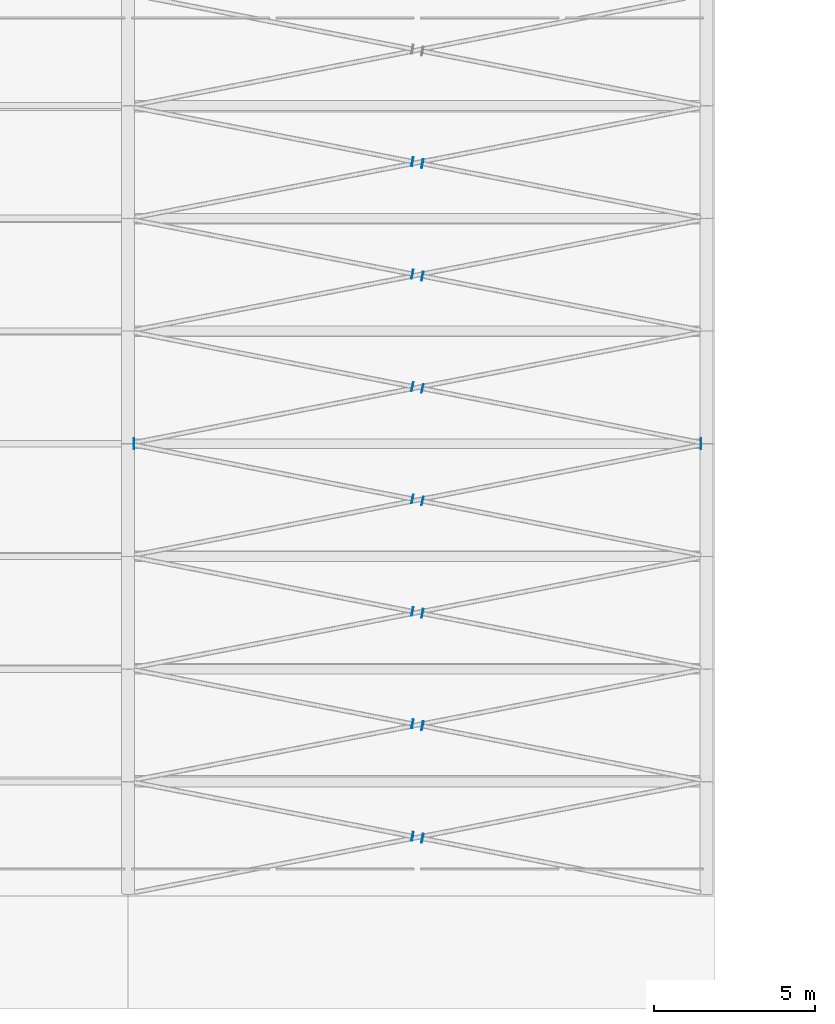
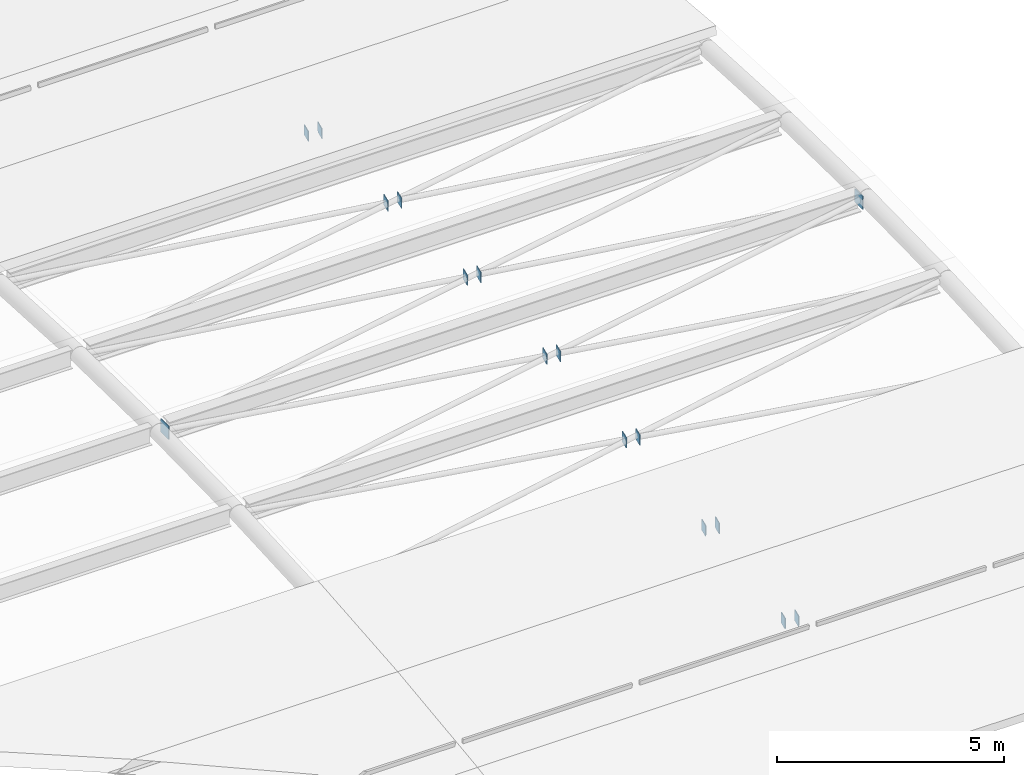
# One storey, part 37 of 41: 16 discrete accessories.
"""IFC4 building model written with IfcOpenShell, lengths in metres."""

from ifc_helpers import new_model, si_unit, direction, frame, origin, origin_2d, place, context, subcontext, project, spatial, rectangle, extrude, material, layer, layer_set, type_object, element, save


model = new_model("IFC4")

# Units and contexts
model_context = context("Model", 3, precision=1e-05, world=origin(), true_north=direction((0.0, 1.0)))
body_context = subcontext(model_context, "Body", "Model", "MODEL_VIEW")
ifc_project = project(units=[si_unit("LENGTHUNIT", "METRE"), si_unit("AREAUNIT", "SQUARE_METRE"), si_unit("VOLUMEUNIT", "CUBIC_METRE"), si_unit("PLANEANGLEUNIT", "RADIAN"), si_unit("MASSUNIT", "GRAM", prefix="KILO")], contexts=[model_context])

# Site, building, storey
site_placement = place(None, origin())
site = spatial("IfcSite", under=ifc_project, at=site_placement, CompositionType="ELEMENT")
building_placement = place(site_placement, origin())
building = spatial("IfcBuilding", under=site, at=building_placement, Name="Okhra Congress Centre", CompositionType="ELEMENT")
storey_placement = place(building_placement, frame((0.0, 0.0, 21.60009765625)))
storey = spatial("IfcBuildingStorey", under=building, at=storey_placement, Name="ROOF", CompositionType="ELEMENT", Elevation=21.60009765625)

# Discrete accessories
ifc_material = material(Name="Steel S355J2", Category="steel")
ifc_layer = layer(ifc_material, 0.02001953125)
ifc_layer_set = layer_set([ifc_layer], Name="Brace end connection plate 20 mm S355")
discrete_accessory_type = type_object("IfcDiscreteAccessoryType", Name="Brace end connection plate 20 mm S355", PredefinedType="BRACKET", material=ifc_layer_set)
for number, where, z_axis, x_axis, name in (
    (1, (145.1640625, 161.718017578125, 0.41552734375), (-0.980756046085, 0.19372958935, 0.024216198669), (-0.193786418213, -0.981043742203, 0.0), "Brace end connection plate"),
    (2, (144.8359375, 161.781982421875, 0.423583984375), (0.980756046085, -0.19372958935, -0.024216198669), (0.193786418213, 0.981043742203, 0.0), "Brace end connection plate"),
):
    element("IfcDiscreteAccessory", number, at=place(storey_placement, frame(where, z_axis=z_axis, x_axis=x_axis)), inside=storey, type_object=discrete_accessory_type, Name=name, PredefinedType="BRACKET", context=body_context, shape_type="SweptSolid", body=[
        extrude(rectangle(XDim=0.279052734375, YDim=0.279052734375, at=origin_2d()), origin(), (0.0, 0.0, 1.0), 0.020263671875),
    ])
for number, where, z_axis, x_axis, name in (
    (3, (145.16455078125, 165.218017578125, 0.7919921875), (-0.980286162792, 0.196057232558, 0.02450715407), (-0.196116135138, -0.980580675691, 0.0), "Brace end connection plate"),
    (4, (144.83544921875, 165.281982421875, 0.7978515625), (0.980286162792, -0.196057232558, -0.02450715407), (0.196116135138, 0.980580675691, 0.0), "Brace end connection plate"),
):
    element("IfcDiscreteAccessory", number, at=place(storey_placement, frame(where, z_axis=z_axis, x_axis=x_axis)), inside=storey, type_object=discrete_accessory_type, Name=name, PredefinedType="BRACKET", context=body_context, shape_type="SweptSolid", body=[
        extrude(rectangle(XDim=0.279052734375, YDim=0.279052734375, at=origin_2d()), origin(), (0.0, 0.0, 1.0), 0.02001953125),
    ])
for number, where, z_axis, x_axis, name in (
    (5, (145.1650390625, 168.718017578125, 1.042724609375), (-0.982872186934, 0.18428853505, 0.0), (-0.18428853505, -0.982872186934, 0.0), "Brace end connection plate"),
    (6, (144.8349609375, 168.781982421875, 1.046142578125), (0.982798016298, -0.184274628056, -0.012284975204), (0.18428853505, 0.982872186934, 0.0), "Brace end connection plate"),
):
    element("IfcDiscreteAccessory", number, at=place(storey_placement, frame(where, z_axis=z_axis, x_axis=x_axis)), inside=storey, type_object=discrete_accessory_type, Name=name, PredefinedType="BRACKET", context=body_context, shape_type="SweptSolid", body=[
        extrude(rectangle(XDim=0.279052734375, YDim=0.279052734375, at=origin_2d()), origin(), (0.0, 0.0, 1.0), 0.019775390625),
    ])
discrete_accessory_1_placement = place(storey_placement, frame((153.814453125, 174.0, 1.19921875), z_axis=(1.0, 0.0, 0.0), x_axis=(0.0, 1.0, 0.0)))
element("IfcDiscreteAccessory", 7, at=discrete_accessory_1_placement, inside=storey, type_object=discrete_accessory_type, Name="Brace end connection plate", PredefinedType="BRACKET", context=body_context, shape_type="SweptSolid", body=[
    extrude(rectangle(XDim=0.35205078125, YDim=0.35205078125, at=origin_2d()), origin(), (0.0, 0.0, 1.0), 0.02001953125),
])
for number, where, z_axis, x_axis, name in (
    (8, (145.165283203125, 172.2177734375, 1.168212890625), (-0.980580675691, 0.196116135138, 0.0), (-0.196116135138, -0.980580675691, 0.0), "Brace end connection plate"),
    (9, (144.834716796875, 172.2822265625, 1.16943359375), (0.980580675691, -0.196116135138, 0.0), (0.196116135138, 0.980580675691, 0.0), "Brace end connection plate"),
):
    element("IfcDiscreteAccessory", number, at=place(storey_placement, frame(where, z_axis=z_axis, x_axis=x_axis)), inside=storey, type_object=discrete_accessory_type, Name=name, PredefinedType="BRACKET", context=body_context, shape_type="SweptSolid", body=[
        extrude(rectangle(XDim=0.279052734375, YDim=0.279052734375, at=origin_2d()), origin(), (0.0, 0.0, 1.0), 0.02001953125),
    ])
discrete_accessory_2_placement = place(storey_placement, frame((136.185546875, 174.0, 1.19921875), z_axis=(-1.0, 0.0, 0.0), x_axis=(0.0, -1.0, 0.0)))
element("IfcDiscreteAccessory", 10, at=discrete_accessory_2_placement, inside=storey, type_object=discrete_accessory_type, Name="Brace end connection plate", PredefinedType="BRACKET", context=body_context, shape_type="SweptSolid", body=[
    extrude(rectangle(XDim=0.35205078125, YDim=0.35205078125, at=origin_2d()), origin(), (0.0, 0.0, 1.0), 0.02001953125),
])
for number, where, z_axis, x_axis, name in (
    (11, (145.165283203125, 175.7177734375, 1.16943359375), (-0.980580675691, 0.196116135138, 0.0), (-0.196116135138, -0.980580675691, 0.0), "Brace end connection plate"),
    (12, (144.834716796875, 175.7822265625, 1.168212890625), (0.980580675691, -0.196116135138, 0.0), (0.196116135138, 0.980580675691, 0.0), "Brace end connection plate"),
):
    element("IfcDiscreteAccessory", number, at=place(storey_placement, frame(where, z_axis=z_axis, x_axis=x_axis)), inside=storey, type_object=discrete_accessory_type, Name=name, PredefinedType="BRACKET", context=body_context, shape_type="SweptSolid", body=[
        extrude(rectangle(XDim=0.279052734375, YDim=0.279052734375, at=origin_2d()), origin(), (0.0, 0.0, 1.0), 0.02001953125),
    ])
for number, where, z_axis, x_axis, name in (
    (13, (145.1650390625, 179.218017578125, 1.046142578125), (-0.982798016298, 0.184274628056, -0.012284975204), (-0.18428853505, -0.982872186934, 0.0), "Brace end connection plate"),
    (14, (144.8349609375, 179.281982421875, 1.042724609375), (0.982872186934, -0.18428853505, 0.0), (0.18428853505, 0.982872186934, 0.0), "Brace end connection plate"),
):
    element("IfcDiscreteAccessory", number, at=place(storey_placement, frame(where, z_axis=z_axis, x_axis=x_axis)), inside=storey, type_object=discrete_accessory_type, Name=name, PredefinedType="BRACKET", context=body_context, shape_type="SweptSolid", body=[
        extrude(rectangle(XDim=0.279052734375, YDim=0.279052734375, at=origin_2d()), origin(), (0.0, 0.0, 1.0), 0.019775390625),
    ])
for number, where, z_axis, x_axis, name in (
    (15, (145.16455078125, 182.718017578125, 0.7978515625), (-0.980286162792, 0.196057232558, -0.02450715407), (-0.196116135138, -0.980580675691, 0.0), "Brace end connection plate"),
    (16, (144.83544921875, 182.781982421875, 0.7919921875), (0.980286162792, -0.196057232558, 0.02450715407), (0.196116135138, 0.980580675691, 0.0), "Brace end connection plate"),
):
    element("IfcDiscreteAccessory", number, at=place(storey_placement, frame(where, z_axis=z_axis, x_axis=x_axis)), inside=storey, type_object=discrete_accessory_type, Name=name, PredefinedType="BRACKET", context=body_context, shape_type="SweptSolid", body=[
        extrude(rectangle(XDim=0.279052734375, YDim=0.279052734375, at=origin_2d()), origin(), (0.0, 0.0, 1.0), 0.02001953125),
    ])

save(model, "model.ifc")
